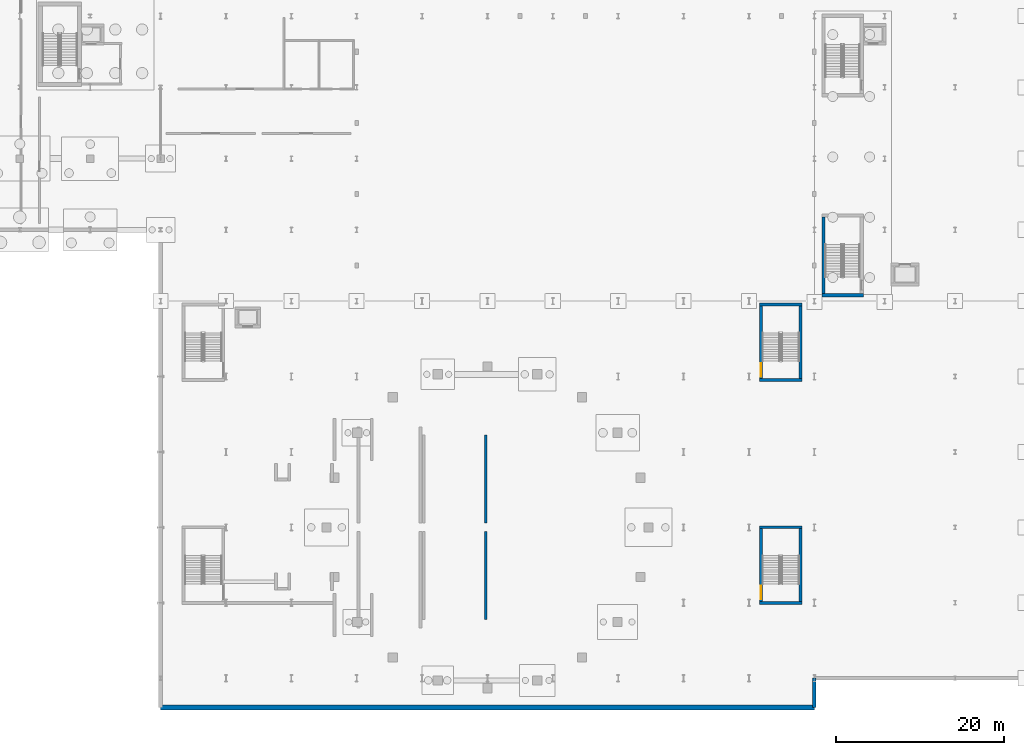
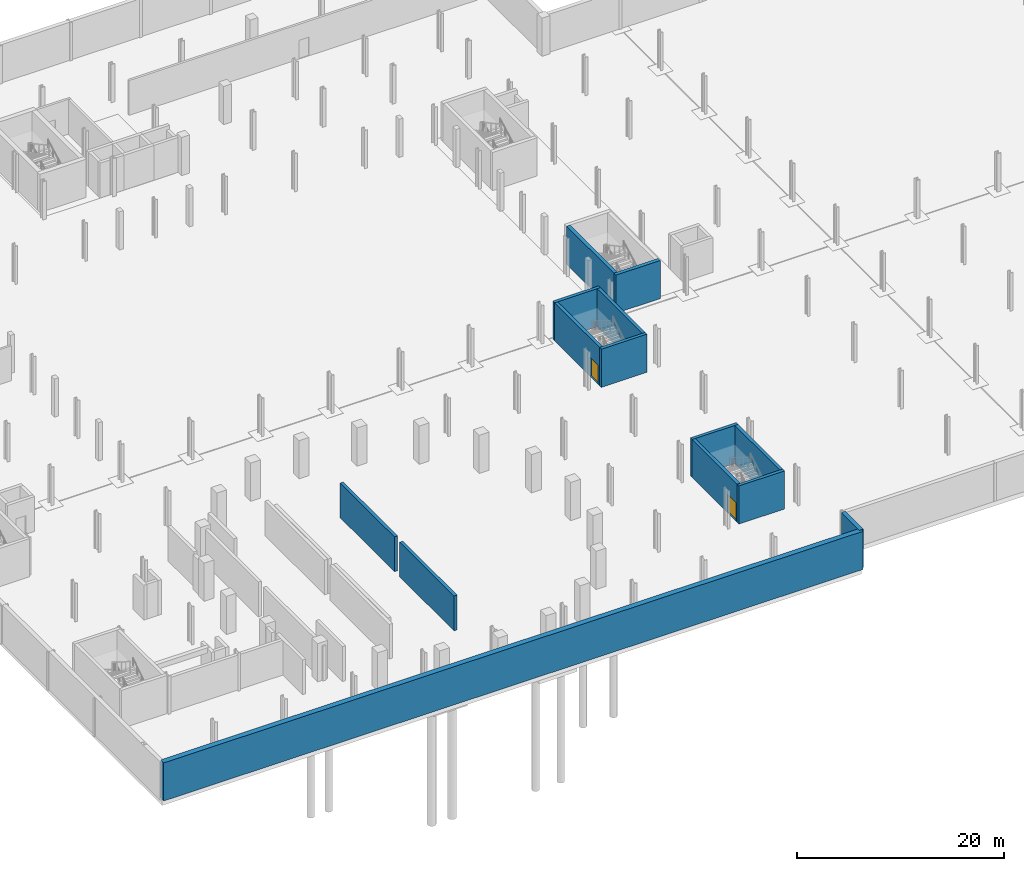
# One storey, part 24 of 45: 14 walls, 2 doors, 2 openings.
"""IFC4 building model written with IfcOpenShell, lengths in metres."""

from ifc_helpers import new_model, si_unit, direction, frame, frame_2d, origin, place, context, subcontext, project, spatial, rectangle, extrude, material, layer, layer_set, type_object, element, fill, save


model = new_model("IFC4")

# Units and contexts
model_context = context("Model", 3, precision=1e-05, world=origin(), true_north=direction((0.0, 1.0)))
body_context = subcontext(model_context, "Body", "Model", "MODEL_VIEW")
ifc_project = project(units=[si_unit("LENGTHUNIT", "METRE"), si_unit("AREAUNIT", "SQUARE_METRE"), si_unit("VOLUMEUNIT", "CUBIC_METRE"), si_unit("PLANEANGLEUNIT", "RADIAN"), si_unit("MASSUNIT", "GRAM", prefix="KILO")], contexts=[model_context])

# Site, building, storey
site_placement = place(None, origin())
site = spatial("IfcSite", under=ifc_project, at=site_placement, CompositionType="ELEMENT")
building_placement = place(site_placement, origin())
building = spatial("IfcBuilding", under=site, at=building_placement, Name="Sefraquen Railside Congress Hotel", CompositionType="ELEMENT")
storey_placement = place(building_placement, frame((0.0, 0.0, -4.5)))
storey = spatial("IfcBuildingStorey", under=building, at=storey_placement, Name="B01", CompositionType="ELEMENT", Elevation=-4.5)

# Walls
ifc_material_1 = material(Name="Concrete C50/60", Category="concrete")
ifc_layer_1 = layer(ifc_material_1, 0.35009765625)
ifc_layer_set_1 = layer_set([ifc_layer_1], Name="Concrete C50/60")
wall_type_1 = type_object("IfcWallType", Name="TW-CW-350", PredefinedType="SHEAR", material=ifc_layer_set_1)
for number, where, z_axis, x_axis, name in (
    (1, (96.64990234375, 27.014892578125, 0.0), (0.0, 0.0, 1.0), (1.0, 0.0, 0.0), "Core shear wall ST-C03 N B01"),
    (2, (96.64990234375, 17.985107421875, 0.0), (0.0, 0.0, 1.0), (1.0, 0.0, 0.0), "Core shear wall ST-C03 S B01"),
):
    element("IfcWall", number, at=place(storey_placement, frame(where, z_axis=z_axis, x_axis=x_axis)), inside=storey, type_object=wall_type_1, Name=name, PredefinedType="SHEAR", context=body_context, shape_type="SweptSolid", body=[
        extrude(rectangle(XDim=5.10009765625, YDim=0.35009765625, at=frame_2d((2.550048828125, 0.0))), origin(), (0.0, 0.0, 1.0), 4.5),
    ])

# Wall, opening, door
wall_1_placement = place(storey_placement, frame((96.824951171875, 18.159912109375, 0.0), z_axis=(0.0, 0.0, 1.0), x_axis=(0.0, 1.0, 0.0)))
wall_1 = element("IfcWall", 3, at=wall_1_placement, inside=storey, type_object=wall_type_1, Name="Core shear wall ST-C03 W B01", PredefinedType="SHEAR", context=body_context, shape_type="SweptSolid", body=[
    extrude(rectangle(XDim=8.68017578125, YDim=0.35009765625, at=frame_2d((4.340087890625, 0.0))), origin(), (0.0, 0.0, 1.0), 4.5),
])
opening_1_placement = place(wall_1_placement, frame((0.25, 0.0, 0.0)))
opening_1 = element("IfcOpeningElement", 4, at=opening_1_placement, cuts=wall_1, Name="Opening FD-02", PredefinedType="OPENING", context=body_context, shape_type="SweptSolid", body=[
    extrude(rectangle(XDim=1.60009765625, YDim=2.199951171875, at=frame_2d((0.800048828125, 1.10009765625))), frame((0.0, 0.18505859375, 0.0), z_axis=(0.0, -1.0, 0.0), x_axis=(1.0, 0.0, 0.0)), (0.0, 0.0, 1.0), 0.3701171875),
])
ifc_material_2 = material(Name="Fire-rated steel", Category="steel")
door_type = type_object("IfcDoorType", Name="TD-FD-02", OperationType="NOTDEFINED", PredefinedType="DOOR", material=ifc_material_2)
door_1_placement = place(opening_1_placement, origin())
door_1 = element("IfcDoor", 5, at=door_1_placement, inside=storey, type_object=door_type, Name="Pressurized stair ST-C03 fire door B01", OperationType="SINGLE_SWING_LEFT", OverallHeight=2.199951171875, OverallWidth=1.60009765625, PredefinedType="DOOR", context=body_context, shape_type="SweptSolid", body=[
    extrude(rectangle(XDim=1.60009765625, YDim=2.199951171875, at=frame_2d((0.800048828125, 1.10009765625))), frame((0.0, 0.02490234375, 0.0), z_axis=(0.0, -1.0, 0.0), x_axis=(1.0, 0.0, 0.0)), (0.0, 0.0, 1.0), 0.050048828125),
])
fill(opening_1, door_1)

# Walls
wall_2_placement = place(storey_placement, frame((101.574951171875, 18.159912109375, 0.0), z_axis=(0.0, 0.0, 1.0), x_axis=(0.0, 1.0, 0.0)))
element("IfcWall", 6, at=wall_2_placement, inside=storey, type_object=wall_type_1, Name="Core shear wall ST-C03 E B01", PredefinedType="SHEAR", context=body_context, shape_type="SweptSolid", body=[
    extrude(rectangle(XDim=8.68017578125, YDim=0.35009765625, at=frame_2d((4.340087890625, 0.0))), origin(), (0.0, 0.0, 1.0), 4.5),
])
for number, where, z_axis, x_axis, name in (
    (7, (96.64990234375, 53.60498046875, 0.0), (0.0, 0.0, 1.0), (1.0, 0.0, 0.0), "Core shear wall ST-C04 N B01"),
    (8, (96.64990234375, 44.574951171875, 0.0), (0.0, 0.0, 1.0), (1.0, 0.0, 0.0), "Core shear wall ST-C04 S B01"),
):
    element("IfcWall", number, at=place(storey_placement, frame(where, z_axis=z_axis, x_axis=x_axis)), inside=storey, type_object=wall_type_1, Name=name, PredefinedType="SHEAR", context=body_context, shape_type="SweptSolid", body=[
        extrude(rectangle(XDim=5.10009765625, YDim=0.35009765625, at=frame_2d((2.550048828125, 0.0))), origin(), (0.0, 0.0, 1.0), 4.5),
    ])

# Wall, opening, door
wall_3_placement = place(storey_placement, frame((96.824951171875, 44.75, 0.0), z_axis=(0.0, 0.0, 1.0), x_axis=(0.0, 1.0, 0.0)))
wall_3 = element("IfcWall", 9, at=wall_3_placement, inside=storey, type_object=wall_type_1, Name="Core shear wall ST-C04 W B01", PredefinedType="SHEAR", context=body_context, shape_type="SweptSolid", body=[
    extrude(rectangle(XDim=8.679931640625, YDim=0.35009765625, at=frame_2d((4.33984375, 0.0))), origin(), (0.0, 0.0, 1.0), 4.5),
])
opening_2_placement = place(wall_3_placement, frame((0.25, 0.0, 0.0)))
opening_2 = element("IfcOpeningElement", 10, at=opening_2_placement, cuts=wall_3, Name="Opening FD-02", PredefinedType="OPENING", context=body_context, shape_type="SweptSolid", body=[
    extrude(rectangle(XDim=1.60009765625, YDim=2.199951171875, at=frame_2d((0.800048828125, 1.10009765625))), frame((0.0, 0.18505859375, 0.0), z_axis=(0.0, -1.0, 0.0), x_axis=(1.0, 0.0, 0.0)), (0.0, 0.0, 1.0), 0.3701171875),
])
door_2_placement = place(opening_2_placement, frame((1.60009765625, 0.0, 0.0), z_axis=(0.0, 0.0, 1.0), x_axis=(-1.0, 0.0, 0.0)))
door_2 = element("IfcDoor", 11, at=door_2_placement, inside=storey, type_object=door_type, Name="Pressurized stair ST-C04 fire door B01", OperationType="SINGLE_SWING_LEFT", OverallHeight=2.199951171875, OverallWidth=1.60009765625, PredefinedType="DOOR", context=body_context, shape_type="SweptSolid", body=[
    extrude(rectangle(XDim=1.60009765625, YDim=2.199951171875, at=frame_2d((0.800048828125, 1.10009765625))), frame((0.0, 0.02490234375, 0.0), z_axis=(0.0, -1.0, 0.0), x_axis=(1.0, 0.0, 0.0)), (0.0, 0.0, 1.0), 0.050048828125),
])
fill(opening_2, door_2)

# Walls
wall_4_placement = place(storey_placement, frame((101.574951171875, 44.75, 0.0), z_axis=(0.0, 0.0, 1.0), x_axis=(0.0, 1.0, 0.0)))
element("IfcWall", 12, at=wall_4_placement, inside=storey, type_object=wall_type_1, Name="Core shear wall ST-C04 E B01", PredefinedType="SHEAR", context=body_context, shape_type="SweptSolid", body=[
    extrude(rectangle(XDim=8.679931640625, YDim=0.35009765625, at=frame_2d((4.33984375, 0.0))), origin(), (0.0, 0.0, 1.0), 4.5),
])
for number, where, z_axis, x_axis, name in (
    (13, (64.0, 16.0, 0.0), (0.0, 0.0, 1.0), (0.0, 1.0, 0.0), "Congress seating tier 1 B01 foundation bearing wall E"),
    (14, (64.0, 27.5, 0.0), (0.0, 0.0, 1.0), (0.0, 1.0, 0.0), "Congress seating tier 2 B01 foundation bearing wall E"),
):
    element("IfcWall", number, at=place(storey_placement, frame(where, z_axis=z_axis, x_axis=x_axis)), inside=storey, type_object=wall_type_1, Name=name, PredefinedType="SHEAR", context=body_context, shape_type="SweptSolid", body=[
        extrude(rectangle(XDim=10.5, YDim=0.35009765625, at=frame_2d((5.25, 0.0))), origin(), (0.0, 0.0, 1.0), 4.10009765625),
    ])
ifc_layer_2 = layer(ifc_material_1, 0.39990234375)
ifc_layer_set_2 = layer_set([ifc_layer_2], Name="Concrete C50/60")
wall_type_2 = type_object("IfcWallType", Name="TW-CW-400", PredefinedType="SHEAR", material=ifc_layer_set_2)
wall_5_placement = place(storey_placement, frame((104.10009765625, 54.699951171875, 0.0), z_axis=(0.0, 0.0, 1.0), x_axis=(1.0, 0.0, 0.0)))
element("IfcWall", 15, at=wall_5_placement, inside=storey, type_object=wall_type_2, Name="Core shear wall ST-M02 S B01", PredefinedType="SHEAR", context=body_context, shape_type="SweptSolid", body=[
    extrude(rectangle(XDim=4.9599609375, YDim=0.39990234375, at=frame_2d((2.47998046875, 0.0))), origin(), (0.0, 0.0, 1.0), 4.5),
])
wall_6_placement = place(storey_placement, frame((104.300048828125, 54.89990234375, 0.0), z_axis=(0.0, 0.0, 1.0), x_axis=(0.0, 1.0, 0.0)))
element("IfcWall", 16, at=wall_6_placement, inside=storey, type_object=wall_type_2, Name="Core shear wall ST-M02 W B01", PredefinedType="SHEAR", context=body_context, shape_type="SweptSolid", body=[
    extrude(rectangle(XDim=9.112060546875, YDim=0.39990234375, at=frame_2d((4.55615234375, 0.0))), origin(), (0.0, 0.0, 1.0), 4.5),
])
ifc_material_3 = material(Name="Concrete C40/50", Category="concrete")
ifc_layer_3 = layer(ifc_material_3, 0.449951171875)
ifc_layer_set_3 = layer_set([ifc_layer_3], Name="Concrete C40/50")
wall_type_3 = type_object("IfcWallType", Name="TW-RW-450", PredefinedType="SOLIDWALL", material=ifc_layer_set_3)
wall_7_placement = place(storey_placement, frame((103.199951171875, 5.5, 0.0), z_axis=(0.0, 0.0, 1.0), x_axis=(0.0, 1.0, 0.0)))
element("IfcWall", 17, at=wall_7_placement, inside=storey, type_object=wall_type_3, Name="Basement retaining wall W-B01-RW-04", PredefinedType="SOLIDWALL", context=body_context, shape_type="SweptSolid", body=[
    extrude(rectangle(XDim=3.5, YDim=0.449951171875, at=frame_2d((1.75, 0.0))), origin(), (0.0, 0.0, 1.0), 4.5),
])
ifc_layer_4 = layer(ifc_material_3, 0.60009765625)
ifc_layer_set_4 = layer_set([ifc_layer_4], Name="Concrete C40/50")
wall_type_4 = type_object("IfcWallType", Name="TW-RW-600", PredefinedType="SOLIDWALL", material=ifc_layer_set_4)
wall_8_placement = place(storey_placement, frame((25.199951171875, 5.5, 0.0), z_axis=(0.0, 0.0, 1.0), x_axis=(1.0, 0.0, 0.0)))
element("IfcWall", 18, at=wall_8_placement, inside=storey, type_object=wall_type_4, Name="Basement retaining wall W-B01-RW-03", PredefinedType="SOLIDWALL", context=body_context, shape_type="SweptSolid", body=[
    extrude(rectangle(XDim=78.0, YDim=0.60009765625, at=frame_2d((39.0, 0.0))), origin(), (0.0, 0.0, 1.0), 4.5),
])

save(model, "model.ifc")
